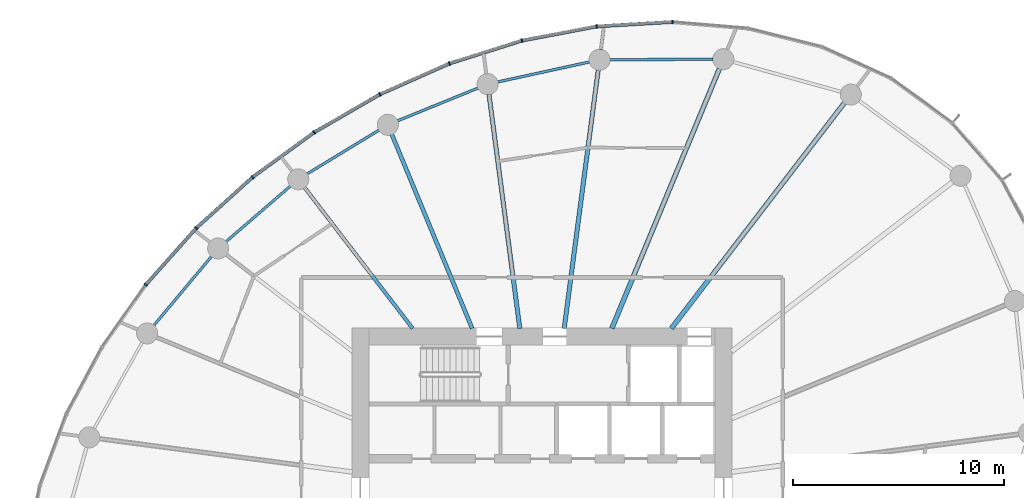
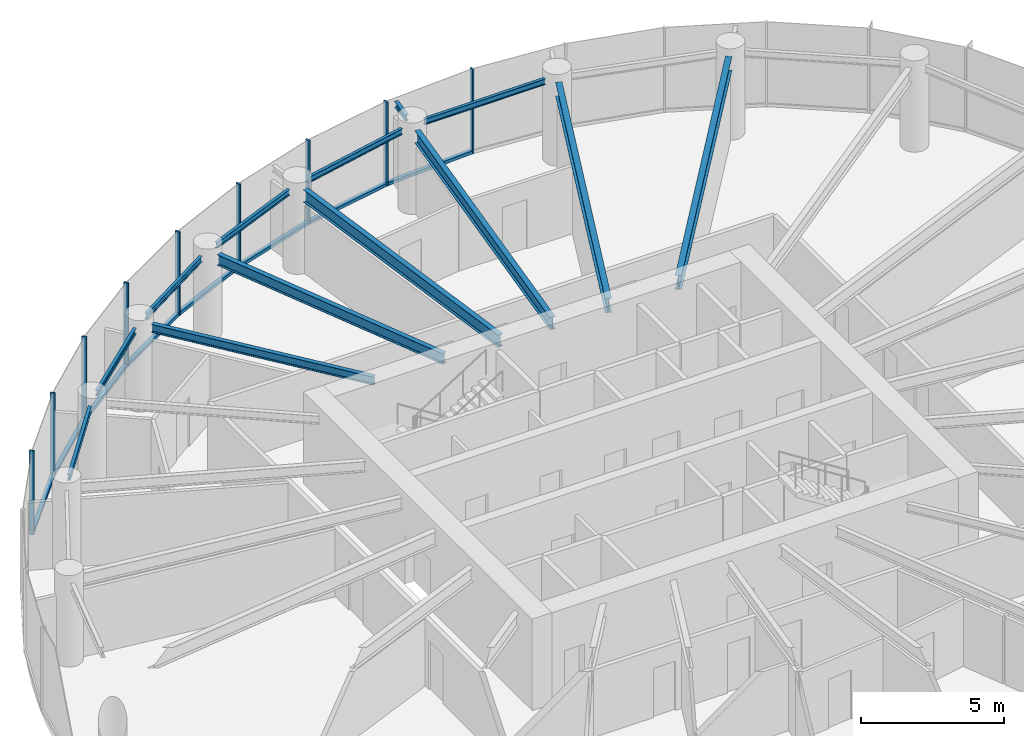
# One storey, part 5 of 14: 17 members, 13 beams, 3 elements without a shape of their own.
"""IFC4 building model written with IfcOpenShell, lengths in metres."""

from ifc_helpers import new_model, si_unit, direction, frame, origin, origin_2d, place, context, subcontext, project, spatial, rectangle, i_section, extrude, source, transform, mapped, material, layer, layer_set, material_profile, profile_set, type_object, element, aggregate, save


model = new_model("IFC4")

# Units and contexts
model_context = context("Model", 3, precision=1e-05, world=origin(), true_north=direction((0.0, 1.0)))
body_context = subcontext(model_context, "Body", "Model", "MODEL_VIEW")
ifc_project = project(units=[si_unit("LENGTHUNIT", "METRE"), si_unit("AREAUNIT", "SQUARE_METRE"), si_unit("VOLUMEUNIT", "CUBIC_METRE"), si_unit("PLANEANGLEUNIT", "RADIAN"), si_unit("MASSUNIT", "GRAM", prefix="KILO")], contexts=[model_context])

# Site, building, storey
site_placement = place(None, origin())
site = spatial("IfcSite", under=ifc_project, at=site_placement, CompositionType="ELEMENT")
building_placement = place(site_placement, origin())
building = spatial("IfcBuilding", under=site, at=building_placement, Name="Spindrift Exchange Tower", CompositionType="ELEMENT")
storey_placement = place(building_placement, frame((0.0, 0.0, 148.699951171875)))
storey = spatial("IfcBuildingStorey", under=building, at=storey_placement, Name="L35", CompositionType="ELEMENT", Elevation=148.699951171875)

# Beams
ifc_material_1 = material(Name="Steel Grade 300", Category="steel")
ifc_material_profile_1 = material_profile(ifc_material_1, i_section(OverallWidth=0.1240234375, OverallDepth=0.248046875, WebThickness=0.0048828125, FlangeThickness=0.008056640625, FilletRadius=0.011962890625, at=origin_2d()), Name="250UB25.7")
ifc_profile_set_1 = profile_set([ifc_material_profile_1], Name="Steel Grade 300")
beam_type_1 = type_object("IfcBeamType", Name="Edge Beam 250UB25.7 Steel Grade 300", PredefinedType="SPANDREL", material=ifc_profile_set_1)
shared_shape_1 = source(origin(), body_context, "Body", "SweptSolid", [
    extrude(i_section(OverallWidth=0.1240234375, OverallDepth=0.248046875, WebThickness=0.0048828125, FlangeThickness=0.008056640625, FilletRadius=0.011962890625, at=origin_2d()), origin(), (0.0, 0.0, 1.0), 4.901123046875),
])
beam_1_placement = place(storey_placement, frame((60.10693359375, 68.728759765625, 3.4560546875), z_axis=(-0.999990609444, -0.004333707747, 0.0), x_axis=(0.004333707747, -0.999990609444, 0.0)))
element("IfcBeam", 1, at=beam_1_placement, inside=storey, type_object=beam_type_1, Name="L35 edge beam E05", PredefinedType="SPANDREL", context=body_context, shape_type="MappedRepresentation", body=[
    mapped(shared_shape_1, transform((0.0, 0.0, 0.0), scale=1.0)),
])
shared_shape_2 = source(origin(), body_context, "Body", "SweptSolid", [
    extrude(i_section(OverallWidth=0.1240234375, OverallDepth=0.248046875, WebThickness=0.0048828125, FlangeThickness=0.008056640625, FilletRadius=0.011962890625, at=origin_2d()), origin(), (0.0, 0.0, 1.0), 4.464111328125),
])
beam_2_placement = place(storey_placement, frame((54.2568359375, 68.603271484375, 3.4560546875), z_axis=(-0.977095837978, -0.212799726048, 0.0), x_axis=(0.212799726048, -0.977095837978, 0.0)))
element("IfcBeam", 2, at=beam_2_placement, inside=storey, type_object=beam_type_1, Name="L35 edge beam E06", PredefinedType="SPANDREL", context=body_context, shape_type="MappedRepresentation", body=[
    mapped(shared_shape_2, transform((0.0, 0.0, 0.0), scale=1.0)),
])
shared_shape_3 = source(origin(), body_context, "Body", "SweptSolid", [
    extrude(i_section(OverallWidth=0.1240234375, OverallDepth=0.248046875, WebThickness=0.0048828125, FlangeThickness=0.008056640625, FilletRadius=0.011962890625, at=origin_2d()), origin(), (0.0, 0.0, 1.0), 4.143798828125),
])
beam_3_placement = place(storey_placement, frame((48.9814453125, 67.3701171875, 3.4560546875), z_axis=(-0.926113706975, -0.377244485385, 0.0), x_axis=(0.377244485385, -0.926113706975, 0.0)))
element("IfcBeam", 3, at=beam_3_placement, inside=storey, type_object=beam_type_1, Name="L35 edge beam E07", PredefinedType="SPANDREL", context=body_context, shape_type="MappedRepresentation", body=[
    mapped(shared_shape_3, transform((0.0, 0.0, 0.0), scale=1.0)),
])
shared_shape_4 = source(origin(), body_context, "Body", "SweptSolid", [
    extrude(i_section(OverallWidth=0.1240234375, OverallDepth=0.248046875, WebThickness=0.0048828125, FlangeThickness=0.008056640625, FilletRadius=0.011962890625, at=origin_2d()), origin(), (0.0, 0.0, 1.0), 4.00634765625),
])
beam_4_placement = place(storey_placement, frame((44.2890625, 65.376220703125, 3.4560546875), z_axis=(-0.854331495603, -0.519728482596, 0.0), x_axis=(0.519728482596, -0.854331495603, 0.0)))
element("IfcBeam", 4, at=beam_4_placement, inside=storey, type_object=beam_type_1, Name="L35 edge beam E08", PredefinedType="SPANDREL", context=body_context, shape_type="MappedRepresentation", body=[
    mapped(shared_shape_4, transform((0.0, 0.0, 0.0), scale=1.0)),
])
shared_shape_5 = source(origin(), body_context, "Body", "SweptSolid", [
    extrude(i_section(OverallWidth=0.1240234375, OverallDepth=0.248046875, WebThickness=0.0048828125, FlangeThickness=0.008056640625, FilletRadius=0.011962890625, at=origin_2d()), origin(), (0.0, 0.0, 1.0), 4.052001953125),
])
beam_5_placement = place(storey_placement, frame((40.093017578125, 62.730712890625, 3.4560546875), z_axis=(-0.756715968535, -0.65374379, 0.0), x_axis=(0.65374379, -0.756715968535, 0.0)))
element("IfcBeam", 5, at=beam_5_placement, inside=storey, type_object=beam_type_1, Name="L35 edge beam E09", PredefinedType="SPANDREL", context=body_context, shape_type="MappedRepresentation", body=[
    mapped(shared_shape_5, transform((0.0, 0.0, 0.0), scale=1.0)),
])
shared_shape_6 = source(origin(), body_context, "Body", "SweptSolid", [
    extrude(i_section(OverallWidth=0.1240234375, OverallDepth=0.248046875, WebThickness=0.0048828125, FlangeThickness=0.008056640625, FilletRadius=0.011962890625, at=origin_2d()), origin(), (0.0, 0.0, 1.0), 4.282958984375),
])
beam_6_placement = place(storey_placement, frame((36.355712890625, 59.399658203125, 3.4560546875), z_axis=(-0.641400288548, -0.767206406289, 0.0), x_axis=(0.767206406289, -0.641400288548, 0.0)))
element("IfcBeam", 6, at=beam_6_placement, inside=storey, type_object=beam_type_1, Name="L35 edge beam E10", PredefinedType="SPANDREL", context=body_context, shape_type="MappedRepresentation", body=[
    mapped(shared_shape_6, transform((0.0, 0.0, 0.0), scale=1.0)),
])
ifc_material_profile_2 = material_profile(ifc_material_1, i_section(OverallWidth=0.22802734375, OverallDepth=0.60205078125, WebThickness=0.010498046875, FlangeThickness=0.014892578125, FilletRadius=0.013916015625, at=origin_2d()), Name="610UB101")
ifc_profile_set_2 = profile_set([ifc_material_profile_2], Name="Steel Grade 300")
beam_type_2 = type_object("IfcBeamType", Name="Floor Beam 610UB101 Steel Grade 300", PredefinedType="BEAM", material=ifc_profile_set_2)
shared_shape_7 = source(origin(), body_context, "Body", "SweptSolid", [
    extrude(i_section(OverallWidth=0.22802734375, OverallDepth=0.60205078125, WebThickness=0.010498046875, FlangeThickness=0.014892578125, FilletRadius=0.013916015625, at=origin_2d()), origin(), (0.0, 0.0, 1.0), 13.480224609375),
])
beam_7_placement = place(storey_placement, frame((58.12646484375, 55.984130859375, 3.279052734375), z_axis=(0.608764179541, 0.793351229726, 0.0), x_axis=(-0.793351229726, 0.608764179541, 0.0)))
element("IfcBeam", 7, at=beam_7_placement, inside=storey, type_object=beam_type_2, Name="L35 radial beam R04A", PredefinedType="BEAM", context=body_context, shape_type="MappedRepresentation", body=[
    mapped(shared_shape_7, transform((0.0, 0.0, 0.0), scale=1.0)),
])
shared_shape_8 = source(origin(), body_context, "Body", "SweptSolid", [
    extrude(i_section(OverallWidth=0.22802734375, OverallDepth=0.60205078125, WebThickness=0.010498046875, FlangeThickness=0.014892578125, FilletRadius=0.013916015625, at=origin_2d()), origin(), (0.0, 0.0, 1.0), 13.31982421875),
])
beam_8_placement = place(storey_placement, frame((55.30615234375, 55.9814453125, 3.279052734375), z_axis=(0.382676632888, 0.923882348918, 0.0), x_axis=(-0.923882348918, 0.382676632888, 0.0)))
element("IfcBeam", 8, at=beam_8_placement, inside=storey, type_object=beam_type_2, Name="L35 radial beam R05A", PredefinedType="BEAM", context=body_context, shape_type="MappedRepresentation", body=[
    mapped(shared_shape_8, transform((0.0, 0.0, 0.0), scale=1.0)),
])
ifc_material_profile_3 = material_profile(ifc_material_1, i_section(OverallWidth=0.208984375, OverallDepth=0.528076171875, WebThickness=0.009521484375, FlangeThickness=0.01318359375, FilletRadius=0.013916015625, at=origin_2d()), Name="530UB82.0")
ifc_profile_set_3 = profile_set([ifc_material_profile_3], Name="Steel Grade 300")
beam_type_3 = type_object("IfcBeamType", Name="Floor Beam 530UB82.0 Steel Grade 300", PredefinedType="BEAM", material=ifc_profile_set_3)
shared_shape_9 = source(origin(), body_context, "Body", "SweptSolid", [
    extrude(i_section(OverallWidth=0.208984375, OverallDepth=0.528076171875, WebThickness=0.009521484375, FlangeThickness=0.01318359375, FilletRadius=0.013916015625, at=origin_2d()), origin(), (0.0, 0.0, 1.0), 12.35498046875),
])
beam_9_placement = place(storey_placement, frame((53.050537109375, 55.980224609375, 3.316162109375), z_axis=(0.130537831721, 0.991443328935, 0.0), x_axis=(-0.991443328935, 0.130537831721, 0.0)))
element("IfcBeam", 9, at=beam_9_placement, inside=storey, type_object=beam_type_3, Name="L35 radial beam R06A", PredefinedType="BEAM", context=body_context, shape_type="MappedRepresentation", body=[
    mapped(shared_shape_9, transform((0.0, 0.0, 0.0), scale=1.0)),
])
shared_shape_10 = source(origin(), body_context, "Body", "SweptSolid", [
    extrude(i_section(OverallWidth=0.208984375, OverallDepth=0.528076171875, WebThickness=0.009521484375, FlangeThickness=0.01318359375, FilletRadius=0.013916015625, at=origin_2d()), origin(), (0.0, 0.0, 1.0), 11.19091796875),
])
beam_10_placement = place(storey_placement, frame((50.949462890625, 55.980224609375, 3.316162109375), z_axis=(-0.130524489434, 0.991445085548, 0.0), x_axis=(-0.991445085548, -0.130524489434, 0.0)))
element("IfcBeam", 10, at=beam_10_placement, inside=storey, type_object=beam_type_3, Name="L35 radial beam R07A", PredefinedType="BEAM", context=body_context, shape_type="MappedRepresentation", body=[
    mapped(shared_shape_10, transform((0.0, 0.0, 0.0), scale=1.0)),
])
ifc_material_profile_4 = material_profile(ifc_material_1, i_section(OverallWidth=0.18994140625, OverallDepth=0.4541015625, WebThickness=0.008544921875, FlangeThickness=0.0126953125, FilletRadius=0.013916015625, at=origin_2d()), Name="460UB67.1")
ifc_profile_set_4 = profile_set([ifc_material_profile_4], Name="Steel Grade 300")
beam_type_4 = type_object("IfcBeamType", Name="Floor Beam 460UB67.1 Steel Grade 300", PredefinedType="BEAM", material=ifc_profile_set_4)
shared_shape_11 = source(origin(), body_context, "Body", "SweptSolid", [
    extrude(i_section(OverallWidth=0.18994140625, OverallDepth=0.4541015625, WebThickness=0.008544921875, FlangeThickness=0.0126953125, FilletRadius=0.013916015625, at=origin_2d()), origin(), (0.0, 0.0, 1.0), 9.958984375),
])
beam_11_placement = place(storey_placement, frame((48.69384765625, 55.9814453125, 3.35302734375), z_axis=(-0.382673670509, 0.923883575944, 0.0), x_axis=(-0.923883575944, -0.382673670509, 0.0)))
element("IfcBeam", 11, at=beam_11_placement, inside=storey, type_object=beam_type_4, Name="L35 radial beam R08A", PredefinedType="BEAM", context=body_context, shape_type="MappedRepresentation", body=[
    mapped(shared_shape_11, transform((0.0, 0.0, 0.0), scale=1.0)),
])
ifc_material_profile_5 = material_profile(ifc_material_1, i_section(OverallWidth=0.1708984375, OverallDepth=0.35205078125, WebThickness=0.0068359375, FlangeThickness=0.009765625, FilletRadius=0.013916015625, at=origin_2d()), Name="360UB44.7")
ifc_profile_set_5 = profile_set([ifc_material_profile_5], Name="Steel Grade 300")
beam_type_5 = type_object("IfcBeamType", Name="Floor Beam 360UB44.7 Steel Grade 300", PredefinedType="BEAM", material=ifc_profile_set_5)
shared_shape_12 = source(origin(), body_context, "Body", "SweptSolid", [
    extrude(i_section(OverallWidth=0.1708984375, OverallDepth=0.35205078125, WebThickness=0.0068359375, FlangeThickness=0.009765625, FilletRadius=0.013916015625, at=origin_2d()), origin(), (0.0, 0.0, 1.0), 8.419189453125),
])
beam_12_placement = place(storey_placement, frame((45.87353515625, 55.984130859375, 3.404052734375), z_axis=(-0.608755970582, 0.79335752866, 0.0), x_axis=(-0.79335752866, -0.608755970582, 0.0)))
element("IfcBeam", 12, at=beam_12_placement, inside=storey, type_object=beam_type_5, Name="L35 radial beam R09A", PredefinedType="BEAM", context=body_context, shape_type="MappedRepresentation", body=[
    mapped(shared_shape_12, transform((0.0, 0.0, 0.0), scale=1.0)),
])
ifc_material_profile_6 = material_profile(ifc_material_1, i_section(OverallWidth=0.14599609375, OverallDepth=0.251953125, WebThickness=0.006103515625, FlangeThickness=0.008544921875, FilletRadius=0.011962890625, at=origin_2d()), Name="250UB31.4")
ifc_profile_set_6 = profile_set([ifc_material_profile_6], Name="Steel Grade 300")
beam_type_6 = type_object("IfcBeamType", Name="Cantilever Beam 250UB31.4 Steel Grade 300", PredefinedType="BEAM", material=ifc_profile_set_6)
shared_shape_13 = source(origin(), body_context, "Body", "SweptSolid", [
    extrude(i_section(OverallWidth=0.14599609375, OverallDepth=0.251953125, WebThickness=0.006103515625, FlangeThickness=0.008544921875, FilletRadius=0.011962890625, at=origin_2d()), origin(), (0.0, 0.0, 1.0), 0.951416015625),
])
beam_13_placement = place(storey_placement, frame((54.78857421875, 69.18115234375, 3.4541015625), z_axis=(0.13060053092, 0.991435071663, 0.0), x_axis=(-0.991435071663, 0.13060053092, 0.0)))
element("IfcBeam", 13, at=beam_13_placement, inside=storey, type_object=beam_type_6, Name="L35 cantilever beam R06T", PredefinedType="BEAM", context=body_context, shape_type="MappedRepresentation", body=[
    mapped(shared_shape_13, transform((0.0, 0.0, 0.0), scale=1.0)),
])

# Curtain wall, members
ifc_material_2 = material(Name="Fritted laminated glass with bronze frame", Category="glass")
ifc_layer = layer(ifc_material_2, 0.179931640625)
ifc_layer_set = layer_set([ifc_layer], Name="ZONE 3 BRONZE FRITTED WALL")
curtain_wall_type = type_object("IfcCurtainWallType", Name="ZONE 3 BRONZE FRITTED WALL", PredefinedType="NOTDEFINED", material=ifc_layer_set)
curtain_wall_1_placement = place(storey_placement, origin())
curtain_wall_1 = element("IfcCurtainWall", 14, at=curtain_wall_1_placement, inside=storey, type_object=curtain_wall_type, Name="L35 Zone 3 Bronze Fritted Wall run 2", PredefinedType="NOTDEFINED")
ifc_material_3 = material(Name="Bronze anodised aluminium", Category="aluminium")
ifc_material_profile_7 = material_profile(ifc_material_3, rectangle(XDim=0.159912109375, YDim=0.1298828125, at=origin_2d()), Name="ZONE 3 BRONZE FRITTED WALL TRANSOM 160X130")
ifc_profile_set_7 = profile_set([ifc_material_profile_7], Name="Bronze anodised aluminium")
member_type_1 = type_object("IfcMemberType", Name="ZONE 3 BRONZE FRITTED WALL TRANSOM 160X130", PredefinedType="USERDEFINED", material=ifc_profile_set_7)
shared_shape_14 = source(origin(), body_context, "Body", "SweptSolid", [
    extrude(rectangle(XDim=0.159912109375, YDim=0.1298828125, at=origin_2d()), origin(), (0.0, 0.0, 1.0), 3.53076171875),
])
member_1_placement = place(storey_placement, frame((47.58544921875, 68.514892578125, 0.06494140625), z_axis=(-0.914196081734, -0.405272160581, 0.0), x_axis=(0.405272160581, -0.914196081734, 0.0)))
member_1 = element("IfcMember", 15, at=member_1_placement, type_object=member_type_1, Name="L35 transom CW-3.9", ObjectType="TRANSOM", PredefinedType="USERDEFINED", context=body_context, shape_type="MappedRepresentation", body=[
    mapped(shared_shape_14, transform((0.0, 0.0, 0.0), scale=1.0)),
])
member_2_placement = place(storey_placement, frame((38.270263671875, 63.1259765625, 0.06494140625), z_axis=(-0.742082671104, -0.670308368774, 0.0), x_axis=(0.670308368774, -0.742082671104, 0.0)))
member_2 = element("IfcMember", 16, at=member_2_placement, type_object=member_type_1, Name="L35 transom CW-3.12", ObjectType="TRANSOM", PredefinedType="USERDEFINED", context=body_context, shape_type="MappedRepresentation", body=[
    mapped(shared_shape_14, transform((0.0, 0.0, 0.0), scale=1.0)),
])

# Curtain wall, member
curtain_wall_2_placement = place(storey_placement, origin())
curtain_wall_2 = element("IfcCurtainWall", 17, at=curtain_wall_2_placement, inside=storey, type_object=curtain_wall_type, Name="L35 Zone 3 Bronze Fritted Wall run 3", PredefinedType="NOTDEFINED")
member_3_placement = place(storey_placement, frame((35.600830078125, 60.709716796875, 0.06494140625), z_axis=(-0.664985930813, -0.746855884238, 0.0), x_axis=(0.746855884238, -0.664985930813, 0.0)))
member_3 = element("IfcMember", 18, at=member_3_placement, type_object=member_type_1, Name="L35 transom CW-3.13", ObjectType="TRANSOM", PredefinedType="USERDEFINED", context=body_context, shape_type="MappedRepresentation", body=[
    mapped(shared_shape_14, transform((0.0, 0.0, 0.0), scale=1.0)),
])

# Member
shared_shape_15 = source(origin(), body_context, "Body", "SweptSolid", [
    extrude(rectangle(XDim=0.159912109375, YDim=0.1298828125, at=origin_2d()), origin(), (0.0, 0.0, 1.0), 3.531005859375),
])
member_4_placement = place(storey_placement, frame((44.29541015625, 67.052490234375, 0.06494140625), z_axis=(-0.865803168536, -0.500384725339, 0.0), x_axis=(0.500384725339, -0.865803168536, 0.0)))
member_4 = element("IfcMember", 19, at=member_4_placement, type_object=member_type_1, Name="L35 transom CW-3.10", ObjectType="TRANSOM", PredefinedType="USERDEFINED", context=body_context, shape_type="MappedRepresentation", body=[
    mapped(shared_shape_15, transform((0.0, 0.0, 0.0), scale=1.0)),
])

member_5_placement = place(storey_placement, frame((41.1796875, 65.24755859375, 0.06494140625), z_axis=(-0.808619460817, -0.588332021556, 0.0), x_axis=(0.588332021556, -0.808619460817, 0.0)))
member_5 = element("IfcMember", 20, at=member_5_placement, type_object=member_type_1, Name="L35 transom CW-3.11", ObjectType="TRANSOM", PredefinedType="USERDEFINED", context=body_context, shape_type="MappedRepresentation", body=[
    mapped(shared_shape_15, transform((0.0, 0.0, 0.0), scale=1.0)),
])

shared_shape_16 = source(origin(), body_context, "Body", "SweptSolid", [
    extrude(rectangle(XDim=0.159912109375, YDim=0.1298828125, at=origin_2d()), origin(), (0.0, 0.0, 1.0), 3.5302734375),
])
member_6_placement = place(storey_placement, frame((54.553466796875, 70.279296875, 0.06494140625), z_axis=(-0.982426227106, -0.186651301349, 0.0), x_axis=(0.186651301349, -0.982426227106, 0.0)))
member_6 = element("IfcMember", 21, at=member_6_placement, type_object=member_type_1, Name="L35 transom CW-3.7", ObjectType="TRANSOM", PredefinedType="USERDEFINED", context=body_context, shape_type="MappedRepresentation", body=[
    mapped(shared_shape_16, transform((0.0, 0.0, 0.0), scale=1.0)),
])

shared_shape_17 = source(origin(), body_context, "Body", "SweptSolid", [
    extrude(rectangle(XDim=0.159912109375, YDim=0.1298828125, at=origin_2d()), origin(), (0.0, 0.0, 1.0), 3.530517578125),
])
member_7_placement = place(storey_placement, frame((51.017333984375, 69.603271484375, 0.06494140625), z_axis=(-0.953531440839, -0.301293530186, 0.0), x_axis=(0.301293530186, -0.953531440839, 0.0)))
member_7 = element("IfcMember", 22, at=member_7_placement, type_object=member_type_1, Name="L35 transom CW-3.8", ObjectType="TRANSOM", PredefinedType="USERDEFINED", context=body_context, shape_type="MappedRepresentation", body=[
    mapped(shared_shape_17, transform((0.0, 0.0, 0.0), scale=1.0)),
])

# Curtain wall, member
curtain_wall_3_placement = place(storey_placement, origin())
curtain_wall_3 = element("IfcCurtainWall", 23, at=curtain_wall_3_placement, inside=storey, type_object=curtain_wall_type, Name="L35 Zone 3 Bronze Fritted Wall run 1", PredefinedType="NOTDEFINED")
ifc_material_profile_8 = material_profile(ifc_material_3, rectangle(XDim=0.070068359375, YDim=0.179931640625, at=origin_2d()), Name="ZONE 3 BRONZE FRITTED WALL MULLION 70X180")
ifc_profile_set_8 = profile_set([ifc_material_profile_8], Name="Bronze anodised aluminium")
member_type_2 = type_object("IfcMemberType", Name="ZONE 3 BRONZE FRITTED WALL MULLION 70X180", PredefinedType="MULLION", material=ifc_profile_set_8)
shared_shape_18 = source(origin(), body_context, "Body", "SweptSolid", [
    extrude(rectangle(XDim=0.070068359375, YDim=0.179931640625, at=origin_2d()), origin(), (0.0, 0.0, 1.0), 3.580078125),
])
member_8_placement = place(storey_placement, frame((58.181396484375, 70.498291015625, 0.0), z_axis=(0.0, 0.0, 1.0), x_axis=(-0.999922934484, 0.012414712724, 0.0)))
member_8 = element("IfcMember", 24, at=member_8_placement, type_object=member_type_2, Name="L35 mullion CW-3.6", PredefinedType="MULLION", context=body_context, shape_type="MappedRepresentation", body=[
    mapped(shared_shape_18, transform((0.0, 0.0, 0.0), scale=1.0)),
])

# Member
member_9_placement = place(storey_placement, frame((54.587890625, 70.285888671875, 0.0), z_axis=(0.0, 0.0, 1.0), x_axis=(-0.992398407328, -0.123066653215, 0.0)))
member_9 = element("IfcMember", 25, at=member_9_placement, type_object=member_type_2, Name="L35 mullion CW-3.7", PredefinedType="MULLION", context=body_context, shape_type="MappedRepresentation", body=[
    mapped(shared_shape_18, transform((0.0, 0.0, 0.0), scale=1.0)),
])

member_10_placement = place(storey_placement, frame((51.05078125, 69.614013671875, 0.0), z_axis=(0.0, 0.0, 1.0), x_axis=(-0.969672126194, -0.244409426336, 0.0)))
member_10 = element("IfcMember", 26, at=member_10_placement, type_object=member_type_2, Name="L35 mullion CW-3.8", PredefinedType="MULLION", context=body_context, shape_type="MappedRepresentation", body=[
    mapped(shared_shape_18, transform((0.0, 0.0, 0.0), scale=1.0)),
])

member_11_placement = place(storey_placement, frame((47.617431640625, 68.529052734375, 0.0), z_axis=(0.0, 0.0, 1.0), x_axis=(-0.935316015742, -0.353813440525, 0.0)))
member_11 = element("IfcMember", 27, at=member_11_placement, type_object=member_type_2, Name="L35 mullion CW-3.9", PredefinedType="MULLION", context=body_context, shape_type="MappedRepresentation", body=[
    mapped(shared_shape_18, transform((0.0, 0.0, 0.0), scale=1.0)),
])

member_12_placement = place(storey_placement, frame((44.32568359375, 67.06982421875, 0.0), z_axis=(0.0, 0.0, 1.0), x_axis=(-0.891285478784, -0.453442604205, 0.0)))
member_12 = element("IfcMember", 28, at=member_12_placement, type_object=member_type_2, Name="L35 mullion CW-3.10", PredefinedType="MULLION", context=body_context, shape_type="MappedRepresentation", body=[
    mapped(shared_shape_18, transform((0.0, 0.0, 0.0), scale=1.0)),
])

member_13_placement = place(storey_placement, frame((41.2080078125, 65.26806640625, 0.0), z_axis=(0.0, 0.0, 1.0), x_axis=(-0.838361604969, -0.545114501104, 0.0)))
member_13 = element("IfcMember", 29, at=member_13_placement, type_object=member_type_2, Name="L35 mullion CW-3.11", PredefinedType="MULLION", context=body_context, shape_type="MappedRepresentation", body=[
    mapped(shared_shape_18, transform((0.0, 0.0, 0.0), scale=1.0)),
])

member_14_placement = place(storey_placement, frame((38.296142578125, 63.1494140625, 0.0), z_axis=(0.0, 0.0, 1.0), x_axis=(-0.776422439541, -0.630212817528, 0.0)))
member_14 = element("IfcMember", 30, at=member_14_placement, type_object=member_type_2, Name="L35 mullion CW-3.12", PredefinedType="MULLION", context=body_context, shape_type="MappedRepresentation", body=[
    mapped(shared_shape_18, transform((0.0, 0.0, 0.0), scale=1.0)),
])

aggregate(curtain_wall_1, [member_9, member_6, member_10, member_7, member_11, member_1, member_12, member_4, member_13, member_5, member_14, member_2])

member_15_placement = place(storey_placement, frame((35.6240234375, 60.73583984375, 0.0), z_axis=(0.0, 0.0, 1.0), x_axis=(-0.704584354261, -0.709620241912, 0.0)))
member_15 = element("IfcMember", 31, at=member_15_placement, type_object=member_type_2, Name="L35 mullion CW-3.13", PredefinedType="MULLION", context=body_context, shape_type="MappedRepresentation", body=[
    mapped(shared_shape_18, transform((0.0, 0.0, 0.0), scale=1.0)),
])

member_16_placement = place(storey_placement, frame((33.2294921875, 58.046630859375, 0.0), z_axis=(0.0, 0.0, 1.0), x_axis=(-0.621247701795, -0.783614250135, 0.0)))
member_16 = element("IfcMember", 32, at=member_16_placement, type_object=member_type_2, Name="L35 mullion CW-3.14", PredefinedType="MULLION", context=body_context, shape_type="MappedRepresentation", body=[
    mapped(shared_shape_18, transform((0.0, 0.0, 0.0), scale=1.0)),
])

aggregate(curtain_wall_2, [member_15, member_3, member_16])

shared_shape_19 = source(origin(), body_context, "Body", "SweptSolid", [
    extrude(rectangle(XDim=0.159912109375, YDim=0.1298828125, at=origin_2d()), origin(), (0.0, 0.0, 1.0), 3.529541015625),
])
member_17_placement = place(storey_placement, frame((58.146240234375, 70.49609375, 0.06494140625), z_axis=(-0.998261948005, -0.05893286999, 0.0), x_axis=(0.05893286999, -0.998261948005, 0.0)))
member_17 = element("IfcMember", 33, at=member_17_placement, type_object=member_type_1, Name="L35 transom CW-3.6", ObjectType="TRANSOM", PredefinedType="USERDEFINED", context=body_context, shape_type="MappedRepresentation", body=[
    mapped(shared_shape_19, transform((0.0, 0.0, 0.0), scale=1.0)),
])

aggregate(curtain_wall_3, [member_8, member_17])

save(model, "model.ifc")
